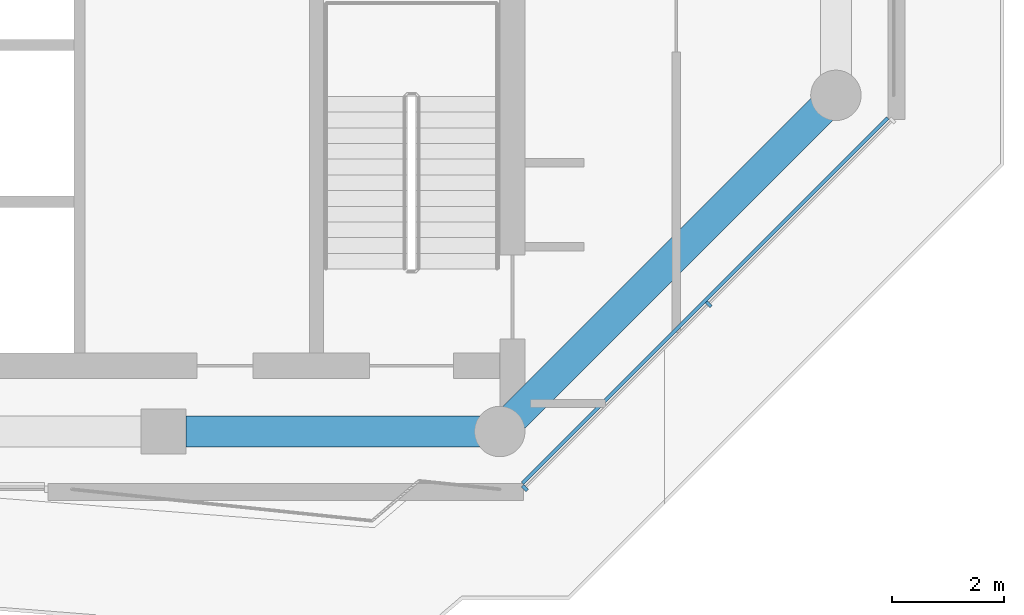
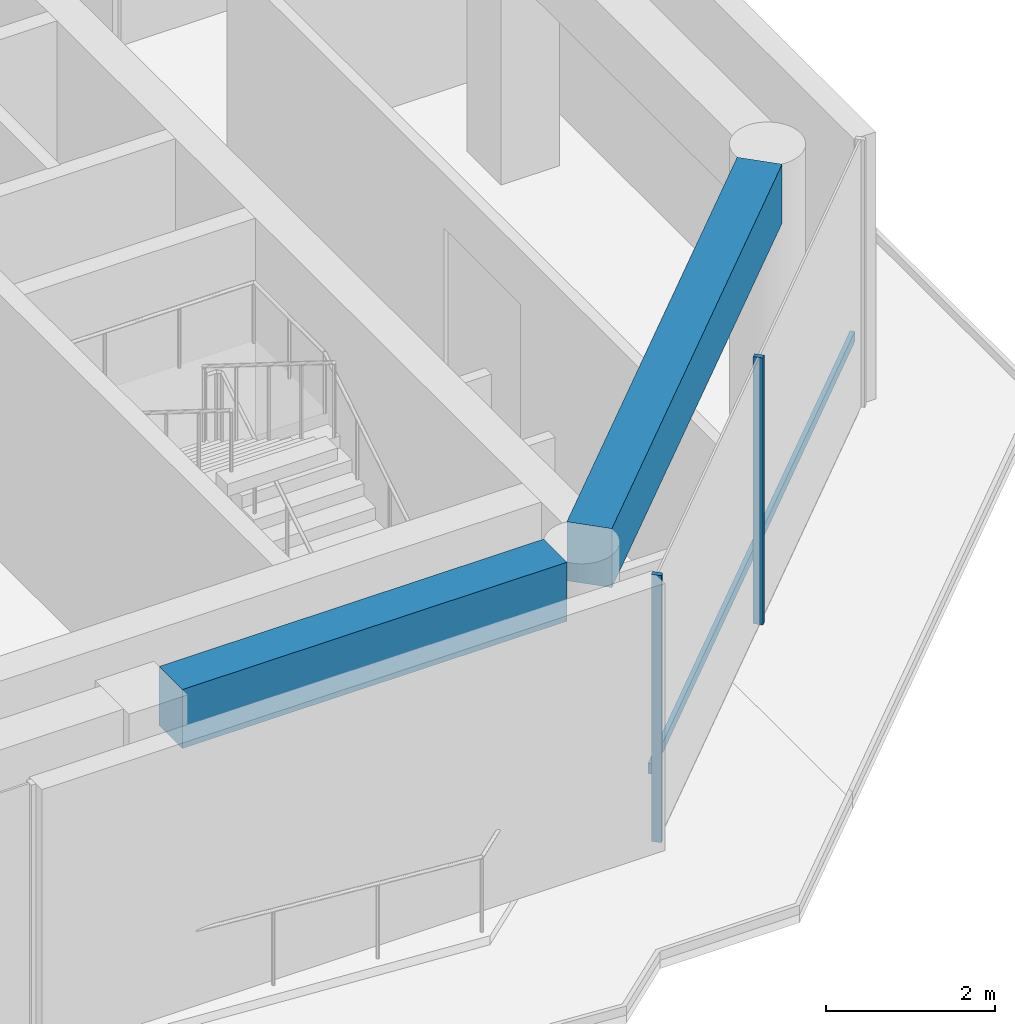
# One storey, part 3 of 23: 3 members, 2 beams, 1 element without a shape of its own.
"""IFC4 building model written with IfcOpenShell, lengths in metres."""

import ifcopenshell
import ifcopenshell.guid

model = None  # the IFC model being written
_history = None  # IfcOwnerHistory: only IFC2X3 demands one
_inside = {}  # id of a spatial element -> (the spatial element, [elements in it])
_under = {}  # id of a project, library or spatial element -> (it, [spatial elements below it])
_declared = {}  # id of a project -> (the project, [libraries it declares])
_typed = {}  # id of a type object -> (the type object, [elements of that type])
_made_of = {}  # id of a material, layer set ... -> (it, [elements and type objects made of it])


def new_model(schema):
    """Start an empty IFC model of exactly this schema.

    Asked for "IFC4X3", IfcOpenShell would pick the latest addendum, in which some entities
    have other attributes; the version numbers below select the first issue.
    IFC2X3 requires an IfcOwnerHistory on every rooted entity: one is made here for all.
    """
    global model, _history
    if schema == "IFC4X3":
        model = ifcopenshell.file(schema_version=(4, 3, 0, 0))
    else:
        model = ifcopenshell.file(schema=schema)
    _inside.clear()
    _under.clear()
    _declared.clear()
    _typed.clear()
    _made_of.clear()
    _history = None
    if model.schema == "IFC2X3":
        org = make("IfcOrganization", Name="unknown")
        user = make(
            "IfcPersonAndOrganization",
            ThePerson=make("IfcPerson", FamilyName="unknown"),
            TheOrganization=org,
        )
        app = make(
            "IfcApplication",
            ApplicationDeveloper=org,
            Version="unknown",
            ApplicationFullName="unknown",
            ApplicationIdentifier="unknown",
        )
        _history = make(
            "IfcOwnerHistory",
            OwningUser=user,
            OwningApplication=app,
            ChangeAction="ADDED",
            CreationDate=0,
        )
    return model


def make(cls, **values):
    """One entity of the class cls with the attributes given. An attribute that is None is left unset."""
    return model.create_entity(
        cls, **{name: value for name, value in values.items() if value is not None}
    )


def rooted(cls, **values):
    """An entity with a GlobalId (a new one), such as an element, a storey or a relation."""
    return make(cls, GlobalId=ifcopenshell.guid.new(), OwnerHistory=_history, **values)


def si_unit(unit_type, name, prefix=None):
    """IfcSIUnit, for example si_unit("LENGTHUNIT", "METRE", prefix="MILLI")."""
    return make("IfcSIUnit", UnitType=unit_type, Prefix=prefix, Name=name)


def assignment(units):
    """IfcUnitAssignment: the units of a project."""
    return None if units is None else make("IfcUnitAssignment", Units=units)


def point(xyz):
    """IfcCartesianPoint."""
    return None if xyz is None else make("IfcCartesianPoint", Coordinates=xyz)


def direction(xyz):
    """IfcDirection."""
    return None if xyz is None else make("IfcDirection", DirectionRatios=xyz)


def frame(location, z_axis=None, x_axis=None):
    """IfcAxis2Placement3D, a coordinate frame: its origin and axes. An axis left out is left unset."""
    return make(
        "IfcAxis2Placement3D",
        Location=point(location),
        Axis=direction(z_axis),
        RefDirection=direction(x_axis),
    )


def frame_2d(location, x_axis=None):
    """IfcAxis2Placement2D, a coordinate frame in the plane: its origin and x axis."""
    return make(
        "IfcAxis2Placement2D", Location=point(location), RefDirection=direction(x_axis)
    )


def origin():
    """The frame at (0, 0, 0) with its axes left unset."""
    return frame((0.0, 0.0, 0.0))


def origin_2d():
    """The frame at (0, 0) in the plane with its x axis left unset."""
    return frame_2d((0.0, 0.0))


def place(relative_to, where):
    """IfcLocalPlacement: puts the frame where relative to a parent placement (None: the world)."""
    return make(
        "IfcLocalPlacement", PlacementRelTo=relative_to, RelativePlacement=where
    )


def context(
    kind, dimensions, precision=None, world=None, true_north=None, identifier=None
):
    """IfcGeometricRepresentationContext, for example the 3D "Model" context."""
    return make(
        "IfcGeometricRepresentationContext",
        ContextIdentifier=identifier,
        ContextType=kind,
        CoordinateSpaceDimension=dimensions,
        Precision=precision,
        WorldCoordinateSystem=world,
        TrueNorth=true_north,
    )


def subcontext(parent, identifier, kind, view, scale=None):
    """IfcGeometricRepresentationSubContext, for example "Body" below "Model"."""
    return make(
        "IfcGeometricRepresentationSubContext",
        ContextIdentifier=identifier,
        ContextType=kind,
        ParentContext=parent,
        TargetScale=scale,
        TargetView=view,
    )


def project(units=None, contexts=None):
    """IfcProject with its units and contexts."""
    return rooted(
        "IfcProject",
        Name="project",
        RepresentationContexts=contexts,
        UnitsInContext=assignment(units),
    )


def spatial(cls, under=None, at=None, **own):
    """A site, building, storey or space (cls), placed at a placement, below another one or the project."""
    s = rooted(cls, ObjectPlacement=at, **own)
    if under is not None:
        _under.setdefault(under.id(), (under, []))[1].append(s)
    return s


def profile(cls, at=None, kind="AREA", **sizes):
    """A parametric profile (cls). Its sizes go by their IFC names, for example OverallWidth=200.0."""
    return make(cls, ProfileType=kind, Position=at, **sizes)


def rectangle(**sizes):
    """IfcRectangleProfileDef."""
    return profile("IfcRectangleProfileDef", **sizes)


def extrude(swept, where, along, depth):
    """IfcExtrudedAreaSolid: the profile swept, set in the frame where, extruded along a direction by depth."""
    return make(
        "IfcExtrudedAreaSolid",
        SweptArea=swept,
        Position=where,
        ExtrudedDirection=direction(along),
        Depth=depth,
    )


def shape(context_of_items, identifier, shape_type, items):
    """IfcShapeRepresentation: the items that make up one representation, for example the "Body"."""
    return make(
        "IfcShapeRepresentation",
        ContextOfItems=context_of_items,
        RepresentationIdentifier=identifier,
        RepresentationType=shape_type,
        Items=items,
    )


def material(Name=None, Category=None):
    """IfcMaterial."""
    return make("IfcMaterial", Name=Name, Category=Category)


def layer(
    of_material, thickness, ventilated=None, Name=None, Category=None, Priority=None
):
    """IfcMaterialLayer: one layer of a wall or slab, of a material (None: an air gap)."""
    return make(
        "IfcMaterialLayer",
        Material=of_material,
        LayerThickness=thickness,
        IsVentilated=ventilated,
        Name=Name,
        Category=Category,
        Priority=Priority,
    )


def layer_set(layers, Name=None):
    """IfcMaterialLayerSet."""
    return make("IfcMaterialLayerSet", MaterialLayers=layers, LayerSetName=Name)


def material_profile(
    of_material, cross_section, Name=None, Category=None, Priority=None
):
    """IfcMaterialProfile: a cross section and its material."""
    return make(
        "IfcMaterialProfile",
        Name=Name,
        Material=of_material,
        Profile=cross_section,
        Priority=Priority,
        Category=Category,
    )


def profile_set(profiles, Name=None, composite=None):
    """IfcMaterialProfileSet."""
    return make(
        "IfcMaterialProfileSet",
        Name=Name,
        MaterialProfiles=profiles,
        CompositeProfile=composite,
    )


def made_of(thing, what):
    """Note that an element or type object is made of a material, layer set ...; save() writes the relation."""
    if what is not None:
        _made_of.setdefault(what.id(), (what, []))[1].append(thing)
    return thing


def type_object(cls, material=None, **own):
    """A type object (cls), such as IfcWallType, which elements share."""
    return made_of(rooted(cls, **own), material)


def element(
    cls,
    number,
    at=None,
    inside=None,
    cuts=None,
    type_object=None,
    material=None,
    context=None,
    identifier="Body",
    shape_type=None,
    held_by="IfcProductDefinitionShape",
    body=None,
    shapes=None,
    **own,
):
    """One element of the class cls, such as IfcWall. Its Tag is "e" and its number.

    at: its placement. inside: the storey or other place that contains it. cuts: it is an
    opening in that element (IfcRelVoidsElement). A single representation is given by context,
    identifier, shape_type and body (its items); several are given by shapes. held_by: the class
    of the entity that holds the representations. save() writes the other relations.
    """
    e = rooted(cls, Tag="e%d" % number, ObjectPlacement=at, **own)
    if body is not None:
        shapes = [shape(context, identifier, shape_type, body)]
    if shapes is not None:
        e.Representation = make(held_by, Representations=shapes)
    if inside is not None:
        _inside.setdefault(inside.id(), (inside, []))[1].append(e)
    if cuts is not None:
        rooted(
            "IfcRelVoidsElement", RelatingBuildingElement=cuts, RelatedOpeningElement=e
        )
    if type_object is not None:
        _typed.setdefault(type_object.id(), (type_object, []))[1].append(e)
    return made_of(e, material)


def aggregate(whole, parts):
    """IfcRelAggregates: a whole, such as a stair, and the parts it consists of."""
    return rooted("IfcRelAggregates", RelatingObject=whole, RelatedObjects=parts)


def save(model, path):
    """Write the relations noted so far, then the file.

    IfcRelAggregates (storeys below a building ...), IfcRelContainedInSpatialStructure (elements
    in a storey), IfcRelDefinesByType, IfcRelAssociatesMaterial and IfcRelDeclares: one each for
    every whole, place, type object, material and project.
    """
    for whole, parts in _under.values():
        aggregate(whole, parts)
    for where, things in _inside.values():
        rooted(
            "IfcRelContainedInSpatialStructure",
            RelatedElements=things,
            RelatingStructure=where,
        )
    for kind, things in _typed.values():
        rooted("IfcRelDefinesByType", RelatedObjects=things, RelatingType=kind)
    for what, things in _made_of.values():
        rooted("IfcRelAssociatesMaterial", RelatedObjects=things, RelatingMaterial=what)
    for by, libraries in _declared.values():
        rooted("IfcRelDeclares", RelatingContext=by, RelatedDefinitions=libraries)
    model.write(path)


model = new_model("IFC4")

# Units and contexts
model_context = context("Model", 3, precision=1e-05, world=origin(), true_north=direction((0.0, 1.0)))
body_context = subcontext(model_context, "Body", "Model", "MODEL_VIEW")
ifc_project = project(units=[si_unit("LENGTHUNIT", "METRE"), si_unit("AREAUNIT", "SQUARE_METRE"), si_unit("VOLUMEUNIT", "CUBIC_METRE"), si_unit("PLANEANGLEUNIT", "RADIAN"), si_unit("MASSUNIT", "GRAM", prefix="KILO")], contexts=[model_context])

# Site, building, storey
site_placement = place(None, origin())
site = spatial("IfcSite", under=ifc_project, at=site_placement, CompositionType="ELEMENT")
building_placement = place(site_placement, origin())
building = spatial("IfcBuilding", under=site, at=building_placement, Name="Welwitschia Terrace Campus", CompositionType="ELEMENT")
storey_placement = place(building_placement, frame((0.0, 0.0, 247.39990234375)))
storey = spatial("IfcBuildingStorey", under=building, at=storey_placement, Name="L55", CompositionType="ELEMENT", Elevation=247.39990234375)

# Curtain wall, members
ifc_material_1 = material(Name="Bronze anodised aluminium", Category="aluminium")
ifc_layer = layer(ifc_material_1, 0.1201171875)
ifc_layer_set = layer_set([ifc_layer], Name="Bronze anodised aluminium")
curtain_wall_type = type_object("IfcCurtainWallType", Name="Curtain wall CW2 tower 6000", PredefinedType="NOTDEFINED", material=ifc_layer_set)
curtain_wall_placement = place(storey_placement, origin())
curtain_wall = element("IfcCurtainWall", 1, at=curtain_wall_placement, inside=storey, type_object=curtain_wall_type, Name="CW L55.4.0", PredefinedType="NOTDEFINED")
ifc_material_2 = material(Name="Bronze anodised aluminium", Category="aluminium")
ifc_material_profile_1 = material_profile(ifc_material_2, rectangle(XDim=0.1201171875, YDim=0.06005859375, at=origin_2d()))
ifc_profile_set_1 = profile_set([ifc_material_profile_1], Name="Bronze anodised aluminium")
member_type_1 = type_object("IfcMemberType", Name="Mullion 60x120", PredefinedType="MULLION", material=ifc_profile_set_1)
member_1_placement = place(storey_placement, frame((24.44775390625, 2.9912109375, 0.0), z_axis=(0.0, 0.0, 1.0), x_axis=(-0.707106781187, 0.707106781187, 0.0)))
member_1 = element("IfcMember", 2, at=member_1_placement, type_object=member_type_1, Name="Mullion L55.4.0.0", PredefinedType="MULLION", context=body_context, shape_type="SweptSolid", body=[
    extrude(rectangle(XDim=0.1201171875, YDim=0.06005859375, at=origin_2d()), origin(), (0.0, 0.0, 1.0), 3.85009765625),
])
member_2_placement = place(storey_placement, frame((27.728271484375, 6.271728515625, 0.0), z_axis=(0.0, 0.0, 1.0), x_axis=(-0.707106781187, 0.707106781187, 0.0)))
member_2 = element("IfcMember", 3, at=member_2_placement, type_object=member_type_1, Name="Mullion L55.4.0.1", PredefinedType="MULLION", context=body_context, shape_type="SweptSolid", body=[
    extrude(rectangle(XDim=0.1201171875, YDim=0.06005859375, at=origin_2d()), origin(), (0.0, 0.0, 1.0), 3.85009765625),
])

# Beams
ifc_material_3 = material(Name="Concrete C50/60", Category="concrete")
ifc_material_profile_2 = material_profile(ifc_material_3, rectangle(XDim=0.550048828125, YDim=0.85009765625, at=origin_2d()))
ifc_profile_set_2 = profile_set([ifc_material_profile_2], Name="Concrete C50/60")
beam_type = type_object("IfcBeamType", Name="Ring spandrel 550x850", PredefinedType="SPANDREL", material=ifc_profile_set_2)
beam_1_placement = place(storey_placement, frame((18.400390625, 4.0, 3.425048828125), z_axis=(1.0, 0.0, 0.0), x_axis=(0.0, 1.0, 0.0)))
element("IfcBeam", 4, at=beam_1_placement, inside=storey, type_object=beam_type, Name="Spandrel SP3", PredefinedType="SPANDREL", context=body_context, shape_type="SweptSolid", body=[
    extrude(rectangle(XDim=0.550048828125, YDim=0.85009765625, at=origin_2d()), origin(), (0.0, 0.0, 1.0), 5.24267578125),
])
beam_2_placement = place(storey_placement, frame((24.25244140625, 4.25244140625, 3.425048828125), z_axis=(0.707106781187, 0.707106781187, 0.0), x_axis=(-0.707106781187, 0.707106781187, 0.0)))
element("IfcBeam", 5, at=beam_2_placement, inside=storey, type_object=beam_type, Name="Spandrel SP3", PredefinedType="SPANDREL", context=body_context, shape_type="SweptSolid", body=[
    extrude(rectangle(XDim=0.550048828125, YDim=0.85009765625, at=origin_2d()), origin(), (0.0, 0.0, 1.0), 7.771240234375),
])

# Member
ifc_material_4 = material(Name="Bronze anodised aluminium", Category="aluminium")
ifc_material_profile_3 = material_profile(ifc_material_4, rectangle(XDim=0.06005859375, YDim=0.14990234375, at=origin_2d()))
ifc_profile_set_3 = profile_set([ifc_material_profile_3], Name="Bronze anodised aluminium")
member_type_2 = type_object("IfcMemberType", Name="Transom 60x150", PredefinedType="USERDEFINED", material=ifc_profile_set_3)
member_3_placement = place(storey_placement, frame((24.405517578125, 3.076171875, 1.0), z_axis=(0.707106781187, 0.707106781187, 0.0), x_axis=(-0.707106781187, 0.707106781187, 0.0)))
member_3 = element("IfcMember", 6, at=member_3_placement, type_object=member_type_2, Name="Transom L55.4.0", ObjectType="TRANSOM", PredefinedType="USERDEFINED", context=body_context, shape_type="SweptSolid", body=[
    extrude(rectangle(XDim=0.06005859375, YDim=0.14990234375, at=origin_2d()), origin(), (0.0, 0.0, 1.0), 9.21826171875),
])

aggregate(curtain_wall, [member_1, member_2, member_3])

save(model, "model.ifc")
